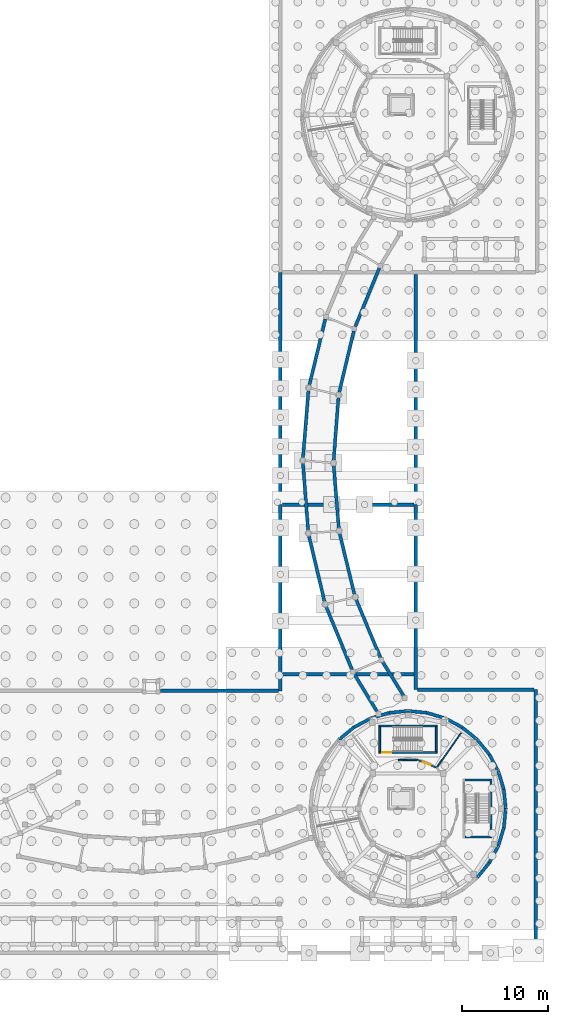
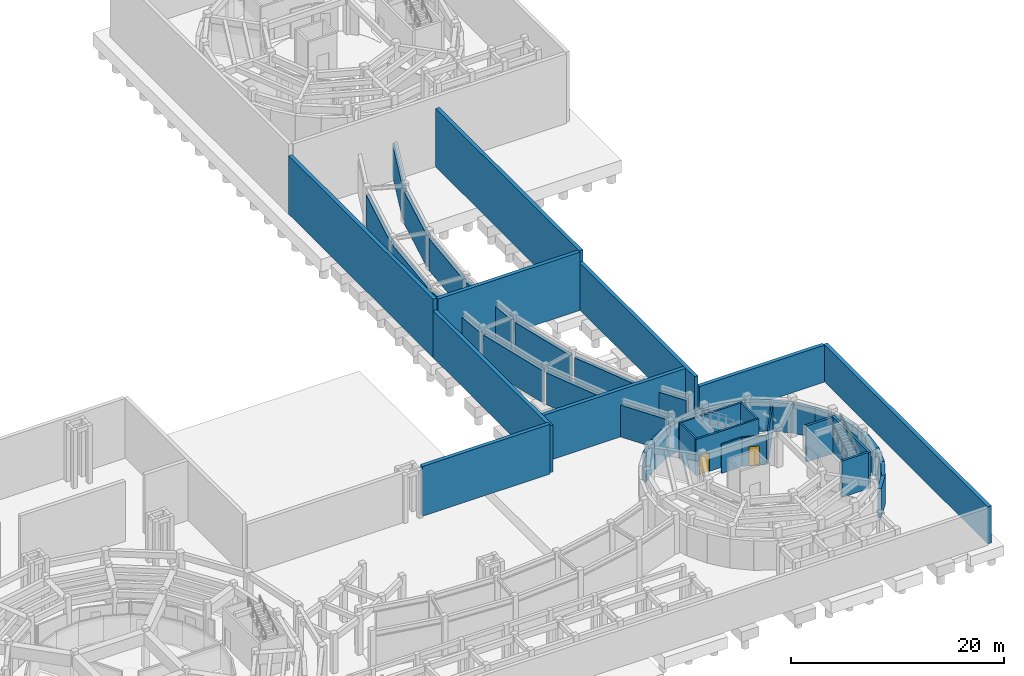
# One storey, part 45 of 57: 48 walls, 2 doors, 2 openings.
"""IFC4 building model written with IfcOpenShell, lengths in metres."""

from ifc_helpers import new_model, si_unit, direction, frame, frame_2d, origin, place, context, subcontext, project, spatial, rectangle, extrude, material, layer, layer_set, type_object, element, fill, save


model = new_model("IFC4")

# Units and contexts
model_context = context("Model", 3, precision=1e-05, world=origin(), true_north=direction((0.0, 1.0)))
body_context = subcontext(model_context, "Body", "Model", "MODEL_VIEW")
ifc_project = project(units=[si_unit("LENGTHUNIT", "METRE"), si_unit("AREAUNIT", "SQUARE_METRE"), si_unit("VOLUMEUNIT", "CUBIC_METRE"), si_unit("PLANEANGLEUNIT", "RADIAN"), si_unit("MASSUNIT", "GRAM", prefix="KILO")], contexts=[model_context])

# Site, building, storey
site_placement = place(None, origin())
site = spatial("IfcSite", under=ifc_project, at=site_placement, CompositionType="ELEMENT")
building_placement = place(site_placement, origin())
building = spatial("IfcBuilding", under=site, at=building_placement, Name="Aldenvaro Health Centre", CompositionType="ELEMENT")
storey_placement = place(building_placement, frame((0.0, 0.0, -4.550048828125)))
storey = spatial("IfcBuildingStorey", under=building, at=storey_placement, Name="B1", CompositionType="ELEMENT", Elevation=-4.550048828125)

# Wall
ifc_material_1 = material(Name="Gypsum Stud Acoustic Assembly")
ifc_layer_1 = layer(ifc_material_1, 0.14501953125, Name="Gypsum Stud Acoustic Assembly")
ifc_layer_set_1 = layer_set([ifc_layer_1], Name="Gypsum Stud Acoustic Assembly")
wall_type_1 = type_object("IfcWallType", Name="WL-CLN-145", PredefinedType="PARTITIONING", material=ifc_layer_set_1)
wall_1_placement = place(storey_placement, frame((157.8740234375, 23.319091796875, 0.0), z_axis=(0.0, 0.0, 1.0), x_axis=(0.573579487823, 0.819149907617, 0.0)))
element("IfcWall", 1, at=wall_1_placement, inside=storey, type_object=wall_type_1, Name="D6 B1 clinical partition 1.1", PredefinedType="PARTITIONING", context=body_context, shape_type="SweptSolid", body=[
    extrude(rectangle(XDim=4.895263671875, YDim=0.14501953125, at=frame_2d((2.44775390625, 0.0))), origin(), (0.0, 0.0, 1.0), 3.322998046875),
])

# Wall, opening, door
ifc_layer_2 = layer(ifc_material_1, 0.1650390625, Name="Gypsum Stud Acoustic Assembly")
ifc_layer_set_2 = layer_set([ifc_layer_2], Name="Gypsum Stud Acoustic Assembly")
wall_type_2 = type_object("IfcWallType", Name="WL-COR-165", PredefinedType="PARTITIONING", material=ifc_layer_set_2)
wall_2_placement = place(storey_placement, frame((157.756103515625, 23.300048828125, 0.0), z_axis=(0.0, 0.0, 1.0), x_axis=(-0.924301971465, 0.381661978124, 0.0)))
wall_2 = element("IfcWall", 2, at=wall_2_placement, inside=storey, type_object=wall_type_2, Name="D6 B1 corridor wall 01.1", PredefinedType="PARTITIONING", context=body_context, shape_type="SweptSolid", body=[
    extrude(rectangle(XDim=2.355224609375, YDim=0.1650390625, at=frame_2d((1.177734375, 0.0))), origin(), (0.0, 0.0, 1.0), 3.322998046875),
])
opening_1_placement = place(wall_2_placement, frame((0.66796875, 0.0, 0.0)))
opening_1 = element("IfcOpeningElement", 3, at=opening_1_placement, cuts=wall_2, Name="Opening HD-01", PredefinedType="OPENING", context=body_context, shape_type="SweptSolid", body=[
    extrude(rectangle(XDim=1.02001953125, YDim=2.199951171875, at=frame_2d((0.510009765625, 1.10009765625))), frame((0.0, 0.092529296875, 0.0), z_axis=(0.0, -1.0, 0.0), x_axis=(1.0, 0.0, 0.0)), (0.0, 0.0, 1.0), 0.18505859375),
])
ifc_material_2 = material(Name="Security Pharmacy Vault Door")
door_type_1 = type_object("IfcDoorType", Name="DR-PHM-01", OperationType="NOTDEFINED", PredefinedType="DOOR", material=ifc_material_2)
door_1_placement = place(opening_1_placement, origin())
door_1 = element("IfcDoor", 4, at=door_1_placement, inside=storey, type_object=door_type_1, Name="Bulk Pharmacy Receiving and Vault Door", OperationType="SINGLE_SWING_RIGHT", OverallHeight=2.199951171875, OverallWidth=1.02001953125, PredefinedType="DOOR", context=body_context, shape_type="SweptSolid", body=[
    extrude(rectangle(XDim=1.02001953125, YDim=2.199951171875, at=frame_2d((0.510009765625, 1.10009765625))), frame((0.0, 0.02490234375, 0.0), z_axis=(0.0, -1.0, 0.0), x_axis=(1.0, 0.0, 0.0)), (0.0, 0.0, 1.0), 0.050048828125),
])
fill(opening_1, door_1)

# Walls
wall_3_placement = place(storey_placement, frame((155.5791015625, 24.198974609375, 0.0), z_axis=(0.0, 0.0, 1.0), x_axis=(-0.999846478786, -0.017521953626, 0.0)))
element("IfcWall", 5, at=wall_3_placement, inside=storey, type_object=wall_type_2, Name="D6 B1 corridor wall 01.2", PredefinedType="PARTITIONING", context=body_context, shape_type="SweptSolid", body=[
    extrude(rectangle(XDim=2.229248046875, YDim=0.1650390625, at=frame_2d((1.11474609375, 0.0))), origin(), (0.0, 0.0, 1.0), 3.322998046875),
])
ifc_material_3 = material(Name="Concrete f'c 40 MPa", Category="concrete")
ifc_layer_3 = layer(ifc_material_3, 0.3701171875, Name="Concrete f'c 40 MPa", Category="concrete")
ifc_layer_set_3 = layer_set([ifc_layer_3], Name="Concrete f'c 40 MPa")
wall_type_3 = type_object("IfcWallType", Name="WL-RET-370", PredefinedType="USERDEFINED", material=ifc_layer_set_3)
wall_4_placement = place(storey_placement, frame((165.89990234375, 18.5, 0.0), z_axis=(0.0, 0.0, 1.0), x_axis=(-0.097989369151, -0.995187461503, 0.0)))
element("IfcWall", 6, at=wall_4_placement, inside=storey, type_object=wall_type_3, Name="D6 B1 hillside retaining wall 01", ObjectType="RETAININGWALL", PredefinedType="USERDEFINED", context=body_context, shape_type="SweptSolid", body=[
    extrude(rectangle(XDim=2.23486328125, YDim=0.3701171875, at=frame_2d((1.117431640625, 0.0))), origin(), (0.0, 0.0, 1.0), 3.34814453125),
])
wall_5_placement = place(storey_placement, frame((165.680908203125, 16.27587890625, 0.0), z_axis=(0.0, 0.0, 1.0), x_axis=(-0.290322655883, -0.956928814218, 0.0)))
element("IfcWall", 7, at=wall_5_placement, inside=storey, type_object=wall_type_3, Name="D6 B1 hillside retaining wall 02", ObjectType="RETAININGWALL", PredefinedType="USERDEFINED", context=body_context, shape_type="SweptSolid", body=[
    extrude(rectangle(XDim=2.235107421875, YDim=0.3701171875, at=frame_2d((1.11767578125, 0.0))), origin(), (0.0, 0.0, 1.0), 3.34814453125),
])
for number, where, z_axis, x_axis, name in (
    (8, (165.031982421875, 14.136962890625, 0.0), (0.0, 0.0, 1.0), (-0.471217561446, -0.882017012185, 0.0), "D6 B1 hillside retaining wall 03"),
    (9, (163.97900390625, 12.166015625, 0.0), (0.0, 0.0, 1.0), (-0.63455767339, -0.772875513354, 0.0), "D6 B1 hillside retaining wall 04"),
    (10, (146.43896484375, 26.56103515625, 0.0), (0.0, 0.0, 1.0), (0.772875513354, 0.63455767339, 0.0), "D6 B1 hillside retaining wall 21"),
    (11, (148.166015625, 27.97900390625, 0.0), (0.0, 0.0, 1.0), (0.882017012185, 0.471217561446, 0.0), "D6 B1 hillside retaining wall 22"),
):
    element("IfcWall", number, at=place(storey_placement, frame(where, z_axis=z_axis, x_axis=x_axis)), inside=storey, type_object=wall_type_3, Name=name, ObjectType="RETAININGWALL", PredefinedType="USERDEFINED", context=body_context, shape_type="SweptSolid", body=[
        extrude(rectangle(XDim=2.234619140625, YDim=0.3701171875, at=frame_2d((1.1171875, 0.0))), origin(), (0.0, 0.0, 1.0), 3.34814453125),
    ])
wall_6_placement = place(storey_placement, frame((150.136962890625, 29.031982421875, 0.0), z_axis=(0.0, 0.0, 1.0), x_axis=(0.956928814218, 0.290322655883, 0.0)))
element("IfcWall", 12, at=wall_6_placement, inside=storey, type_object=wall_type_3, Name="D6 B1 hillside retaining wall 23", ObjectType="RETAININGWALL", PredefinedType="USERDEFINED", context=body_context, shape_type="SweptSolid", body=[
    extrude(rectangle(XDim=2.235107421875, YDim=0.3701171875, at=frame_2d((1.11767578125, 0.0))), origin(), (0.0, 0.0, 1.0), 3.34814453125),
])
for number, where, z_axis, x_axis, name in (
    (13, (152.27587890625, 29.680908203125, 0.0), (0.0, 0.0, 1.0), (0.995187461503, 0.097989369151, 0.0), "D6 B1 hillside retaining wall 24"),
    (14, (154.5, 29.89990234375, 0.0), (0.0, 0.0, 1.0), (0.995187461503, -0.097989369151, 0.0), "D6 B1 hillside retaining wall 25"),
):
    element("IfcWall", number, at=place(storey_placement, frame(where, z_axis=z_axis, x_axis=x_axis)), inside=storey, type_object=wall_type_3, Name=name, ObjectType="RETAININGWALL", PredefinedType="USERDEFINED", context=body_context, shape_type="SweptSolid", body=[
        extrude(rectangle(XDim=2.23486328125, YDim=0.3701171875, at=frame_2d((1.117431640625, 0.0))), origin(), (0.0, 0.0, 1.0), 3.34814453125),
    ])
wall_7_placement = place(storey_placement, frame((156.72412109375, 29.680908203125, 0.0), z_axis=(0.0, 0.0, 1.0), x_axis=(0.956928814218, -0.290322655883, 0.0)))
element("IfcWall", 15, at=wall_7_placement, inside=storey, type_object=wall_type_3, Name="D6 B1 hillside retaining wall 26", ObjectType="RETAININGWALL", PredefinedType="USERDEFINED", context=body_context, shape_type="SweptSolid", body=[
    extrude(rectangle(XDim=2.235107421875, YDim=0.3701171875, at=frame_2d((1.11767578125, 0.0))), origin(), (0.0, 0.0, 1.0), 3.34814453125),
])
for number, where, z_axis, x_axis, name in (
    (16, (158.863037109375, 29.031982421875, 0.0), (0.0, 0.0, 1.0), (0.882017012185, -0.471217561446, 0.0), "D6 B1 hillside retaining wall 27"),
    (17, (160.833984375, 27.97900390625, 0.0), (0.0, 0.0, 1.0), (0.772875513354, -0.63455767339, 0.0), "D6 B1 hillside retaining wall 28"),
    (18, (162.56103515625, 26.56103515625, 0.0), (0.0, 0.0, 1.0), (0.63455767339, -0.772875513354, 0.0), "D6 B1 hillside retaining wall 29"),
    (19, (163.97900390625, 24.833984375, 0.0), (0.0, 0.0, 1.0), (0.471217561446, -0.882017012185, 0.0), "D6 B1 hillside retaining wall 30"),
):
    element("IfcWall", number, at=place(storey_placement, frame(where, z_axis=z_axis, x_axis=x_axis)), inside=storey, type_object=wall_type_3, Name=name, ObjectType="RETAININGWALL", PredefinedType="USERDEFINED", context=body_context, shape_type="SweptSolid", body=[
        extrude(rectangle(XDim=2.234619140625, YDim=0.3701171875, at=frame_2d((1.1171875, 0.0))), origin(), (0.0, 0.0, 1.0), 3.34814453125),
    ])
wall_8_placement = place(storey_placement, frame((165.031982421875, 22.863037109375, 0.0), z_axis=(0.0, 0.0, 1.0), x_axis=(0.290322655883, -0.956928814218, 0.0)))
element("IfcWall", 20, at=wall_8_placement, inside=storey, type_object=wall_type_3, Name="D6 B1 hillside retaining wall 31", ObjectType="RETAININGWALL", PredefinedType="USERDEFINED", context=body_context, shape_type="SweptSolid", body=[
    extrude(rectangle(XDim=2.235107421875, YDim=0.3701171875, at=frame_2d((1.11767578125, 0.0))), origin(), (0.0, 0.0, 1.0), 3.34814453125),
])
wall_9_placement = place(storey_placement, frame((165.680908203125, 20.72412109375, 0.0), z_axis=(0.0, 0.0, 1.0), x_axis=(0.097989369151, -0.995187461503, 0.0)))
element("IfcWall", 21, at=wall_9_placement, inside=storey, type_object=wall_type_3, Name="D6 B1 hillside retaining wall 32", ObjectType="RETAININGWALL", PredefinedType="USERDEFINED", context=body_context, shape_type="SweptSolid", body=[
    extrude(rectangle(XDim=2.23486328125, YDim=0.3701171875, at=frame_2d((1.117431640625, 0.0))), origin(), (0.0, 0.0, 1.0), 3.34814453125),
])
wall_10_placement = place(storey_placement, frame((151.152099609375, 81.639892578125, 0.0), z_axis=(0.0, 0.0, 1.0), x_axis=(-0.37992741541, -0.925016302029, 0.0)))
element("IfcWall", 22, at=wall_10_placement, inside=storey, type_object=wall_type_3, Name="East Curved Garden Colonnade Arc 2 B1 retaining wall L.1", ObjectType="RETAININGWALL", PredefinedType="USERDEFINED", context=body_context, shape_type="SweptSolid", body=[
    extrude(rectangle(XDim=7.4072265625, YDim=0.3701171875, at=frame_2d((3.70361328125, 0.0))), origin(), (0.0, 0.0, 1.0), 3.64501953125),
])
wall_11_placement = place(storey_placement, frame((148.169921875, 74.26611328125, 0.0), z_axis=(0.0, 0.0, 1.0), x_axis=(-0.231038102436, -0.972944703065, 0.0)))
element("IfcWall", 23, at=wall_11_placement, inside=storey, type_object=wall_type_3, Name="East Curved Garden Colonnade Arc 3 B1 retaining wall L.1", ObjectType="RETAININGWALL", PredefinedType="USERDEFINED", context=body_context, shape_type="SweptSolid", body=[
    extrude(rectangle(XDim=7.405517578125, YDim=0.3701171875, at=frame_2d((3.70263671875, 0.0))), origin(), (0.0, 0.0, 1.0), 3.64501953125),
])
wall_12_placement = place(storey_placement, frame((144.842041015625, 75.64501953125, 0.0), z_axis=(0.0, 0.0, 1.0), x_axis=(-0.23601468328, -0.971749488951, 0.0)))
element("IfcWall", 24, at=wall_12_placement, inside=storey, type_object=wall_type_3, Name="East Curved Garden Colonnade Arc 3 B1 retaining wall R.1", ObjectType="RETAININGWALL", PredefinedType="USERDEFINED", context=body_context, shape_type="SweptSolid", body=[
    extrude(rectangle(XDim=7.97021484375, YDim=0.3701171875, at=frame_2d((3.985107421875, 0.0))), origin(), (0.0, 0.0, 1.0), 3.64501953125),
])
wall_13_placement = place(storey_placement, frame((146.375, 66.51904296875, 0.0), z_axis=(0.0, 0.0, 1.0), x_axis=(-0.075610132089, -0.997137456886, 0.0)))
element("IfcWall", 25, at=wall_13_placement, inside=storey, type_object=wall_type_3, Name="East Curved Garden Colonnade Arc 4 B1 retaining wall L.1", ObjectType="RETAININGWALL", PredefinedType="USERDEFINED", context=body_context, shape_type="SweptSolid", body=[
    extrude(rectangle(XDim=7.4072265625, YDim=0.3701171875, at=frame_2d((3.70361328125, 0.0))), origin(), (0.0, 0.0, 1.0), 3.64501953125),
])
wall_14_placement = place(storey_placement, frame((142.8740234375, 67.35888671875, 0.0), z_axis=(0.0, 0.0, 1.0), x_axis=(-0.081052743473, -0.996709813725, 0.0)))
element("IfcWall", 26, at=wall_14_placement, inside=storey, type_object=wall_type_3, Name="East Curved Garden Colonnade Arc 4 B1 retaining wall R.1", ObjectType="RETAININGWALL", PredefinedType="USERDEFINED", context=body_context, shape_type="SweptSolid", body=[
    extrude(rectangle(XDim=7.969970703125, YDim=0.3701171875, at=frame_2d((3.98486328125, 0.0))), origin(), (0.0, 0.0, 1.0), 3.64501953125),
])
wall_15_placement = place(storey_placement, frame((145.81591796875, 58.5849609375, 0.0), z_axis=(0.0, 0.0, 1.0), x_axis=(0.081275147616, -0.996691702775, 0.0)))
element("IfcWall", 27, at=wall_15_placement, inside=storey, type_object=wall_type_3, Name="East Curved Garden Colonnade Arc 5 B1 retaining wall L.1", ObjectType="RETAININGWALL", PredefinedType="USERDEFINED", context=body_context, shape_type="SweptSolid", body=[
    extrude(rectangle(XDim=7.407470703125, YDim=0.3701171875, at=frame_2d((3.70361328125, 0.0))), origin(), (0.0, 0.0, 1.0), 3.64501953125),
])
wall_16_placement = place(storey_placement, frame((142.22705078125, 58.866943359375, 0.0), z_axis=(0.0, 0.0, 1.0), x_axis=(0.075785234906, -0.997124163868, 0.0)))
element("IfcWall", 28, at=wall_16_placement, inside=storey, type_object=wall_type_3, Name="East Curved Garden Colonnade Arc 5 B1 retaining wall R.1", ObjectType="RETAININGWALL", PredefinedType="USERDEFINED", context=body_context, shape_type="SweptSolid", body=[
    extrude(rectangle(XDim=7.969970703125, YDim=0.3701171875, at=frame_2d((3.98486328125, 0.0))), origin(), (0.0, 0.0, 1.0), 3.64501953125),
])
wall_17_placement = place(storey_placement, frame((146.5048828125, 50.660888671875, 0.0), z_axis=(0.0, 0.0, 1.0), x_axis=(0.236279241617, -0.971685195925, 0.0)))
element("IfcWall", 29, at=wall_17_placement, inside=storey, type_object=wall_type_3, Name="East Curved Garden Colonnade Arc 6 B1 retaining wall L.1", ObjectType="RETAININGWALL", PredefinedType="USERDEFINED", context=body_context, shape_type="SweptSolid", body=[
    extrude(rectangle(XDim=7.406494140625, YDim=0.3701171875, at=frame_2d((3.703125, 0.0))), origin(), (0.0, 0.0, 1.0), 3.64501953125),
])
wall_18_placement = place(storey_placement, frame((142.916015625, 50.3779296875, 0.0), z_axis=(0.0, 0.0, 1.0), x_axis=(0.230925962905, -0.972971325197, 0.0)))
element("IfcWall", 30, at=wall_18_placement, inside=storey, type_object=wall_type_3, Name="East Curved Garden Colonnade Arc 6 B1 retaining wall R.1", ObjectType="RETAININGWALL", PredefinedType="USERDEFINED", context=body_context, shape_type="SweptSolid", body=[
    extrude(rectangle(XDim=7.96826171875, YDim=0.3701171875, at=frame_2d((3.984130859375, 0.0))), origin(), (0.0, 0.0, 1.0), 3.64501953125),
])
wall_19_placement = place(storey_placement, frame((148.426025390625, 42.943115234375, 0.0), z_axis=(0.0, 0.0, 1.0), x_axis=(0.385193411175, -0.922835866223, 0.0)))
element("IfcWall", 31, at=wall_19_placement, inside=storey, type_object=wall_type_3, Name="East Curved Garden Colonnade Arc 7 B1 retaining wall L.1", ObjectType="RETAININGWALL", PredefinedType="USERDEFINED", context=body_context, shape_type="SweptSolid", body=[
    extrude(rectangle(XDim=7.40673828125, YDim=0.3701171875, at=frame_2d((3.703369140625, 0.0))), origin(), (0.0, 0.0, 1.0), 3.64501953125),
])
wall_20_placement = place(storey_placement, frame((144.925048828125, 42.10302734375, 0.0), z_axis=(0.0, 0.0, 1.0), x_axis=(0.380008707142, -0.9249829093, 0.0)))
element("IfcWall", 32, at=wall_20_placement, inside=storey, type_object=wall_type_3, Name="East Curved Garden Colonnade Arc 7 B1 retaining wall R.1", ObjectType="RETAININGWALL", PredefinedType="USERDEFINED", context=body_context, shape_type="SweptSolid", body=[
    extrude(rectangle(XDim=7.970947265625, YDim=0.3701171875, at=frame_2d((3.9853515625, 0.0))), origin(), (0.0, 0.0, 1.0), 3.64501953125),
])
wall_21_placement = place(storey_placement, frame((151.530029296875, 35.6201171875, 0.0), z_axis=(0.0, 0.0, 1.0), x_axis=(0.526011708448, -0.850477326315, 0.0)))
element("IfcWall", 33, at=wall_21_placement, inside=storey, type_object=wall_type_3, Name="East Curved Garden Colonnade Arc 8 B1 retaining wall L.1", ObjectType="RETAININGWALL", PredefinedType="USERDEFINED", context=body_context, shape_type="SweptSolid", body=[
    extrude(rectangle(XDim=4.65771484375, YDim=0.3701171875, at=frame_2d((2.328857421875, 0.0))), origin(), (0.0, 0.0, 1.0), 3.64501953125),
])
wall_22_placement = place(storey_placement, frame((148.201904296875, 34.240966796875, 0.0), z_axis=(0.0, 0.0, 1.0), x_axis=(0.519278506533, -0.854605074086, 0.0)))
element("IfcWall", 34, at=wall_22_placement, inside=storey, type_object=wall_type_3, Name="East Curved Garden Colonnade Arc 8 B1 retaining wall R.1", ObjectType="RETAININGWALL", PredefinedType="USERDEFINED", context=body_context, shape_type="SweptSolid", body=[
    extrude(rectangle(XDim=5.111083984375, YDim=0.3701171875, at=frame_2d((2.5556640625, 0.0))), origin(), (0.0, 0.0, 1.0), 3.64501953125),
])
ifc_layer_4 = layer(ifc_material_3, 0.39990234375, Name="Concrete f'c 40 MPa", Category="concrete")
ifc_layer_set_4 = layer_set([ifc_layer_4], Name="Concrete f'c 40 MPa")
wall_type_4 = type_object("IfcWallType", Name="WL-RET-400", PredefinedType="USERDEFINED", material=ifc_layer_set_4)
wall_23_placement = place(storey_placement, frame((169.39990234375, 1.64990234375, 0.0), z_axis=(0.0, 0.0, 1.0), x_axis=(0.0, 1.0, 0.0)))
element("IfcWall", 35, at=wall_23_placement, inside=storey, type_object=wall_type_4, Name="Stepped Foothill Retaining Wall T1S-E-00", ObjectType="RETAININGWALL", PredefinedType="USERDEFINED", context=body_context, shape_type="SweptSolid", body=[
    extrude(rectangle(XDim=30.75, YDim=0.39990234375, at=frame_2d((15.375, 0.0))), origin(), (0.0, 0.0, 1.0), 4.22998046875),
])
wall_24_placement = place(storey_placement, frame((155.39990234375, 32.39990234375, 0.0), z_axis=(0.0, 0.0, 1.0), x_axis=(0.0, 1.0, 0.0)))
element("IfcWall", 36, at=wall_24_placement, inside=storey, type_object=wall_type_4, Name="Stepped Foothill Retaining Wall T2F-E-00", ObjectType="RETAININGWALL", PredefinedType="USERDEFINED", context=body_context, shape_type="SweptSolid", body=[
    extrude(rectangle(XDim=21.60009765625, YDim=0.39990234375, at=frame_2d((10.800048828125, 0.0))), origin(), (0.0, 0.0, 1.0), 5.380126953125),
])
wall_25_placement = place(storey_placement, frame((139.60009765625, 32.25, 0.0), z_axis=(0.0, 0.0, 1.0), x_axis=(0.0, 1.0, 0.0)))
element("IfcWall", 37, at=wall_25_placement, inside=storey, type_object=wall_type_4, Name="Stepped Foothill Retaining Wall T2F-IE-00", ObjectType="RETAININGWALL", PredefinedType="USERDEFINED", context=body_context, shape_type="SweptSolid", body=[
    extrude(rectangle(XDim=21.75, YDim=0.39990234375, at=frame_2d((10.875, 0.0))), origin(), (0.0, 0.0, 1.0), 5.380126953125),
])
wall_26_placement = place(storey_placement, frame((155.39990234375, 54.0, 0.0), z_axis=(0.0, 0.0, 1.0), x_axis=(0.0, 1.0, 0.0)))
element("IfcWall", 38, at=wall_26_placement, inside=storey, type_object=wall_type_4, Name="Stepped Foothill Retaining Wall T3F-E-00", ObjectType="RETAININGWALL", PredefinedType="USERDEFINED", context=body_context, shape_type="SweptSolid", body=[
    extrude(rectangle(XDim=26.8759765625, YDim=0.39990234375, at=frame_2d((13.43798828125, 0.0))), origin(), (0.0, 0.0, 1.0), 6.679931640625),
])
wall_27_placement = place(storey_placement, frame((139.60009765625, 54.0, 0.0), z_axis=(0.0, 0.0, 1.0), x_axis=(0.0, 1.0, 0.0)))
element("IfcWall", 39, at=wall_27_placement, inside=storey, type_object=wall_type_4, Name="Stepped Foothill Retaining Wall T3F-IE-00", ObjectType="RETAININGWALL", PredefinedType="USERDEFINED", context=body_context, shape_type="SweptSolid", body=[
    extrude(rectangle(XDim=27.10009765625, YDim=0.39990234375, at=frame_2d((13.550048828125, 0.0))), origin(), (0.0, 0.0, 1.0), 6.679931640625),
])
wall_28_placement = place(storey_placement, frame((155.6240234375, 32.39990234375, 0.0), z_axis=(0.0, 0.0, 1.0), x_axis=(1.0, 0.0, 0.0)))
element("IfcWall", 40, at=wall_28_placement, inside=storey, type_object=wall_type_4, Name="Stepped Foothill Retaining Wall T1S-NEJ-00", ObjectType="RETAININGWALL", PredefinedType="USERDEFINED", context=body_context, shape_type="SweptSolid", body=[
    extrude(rectangle(XDim=13.552001953125, YDim=0.39990234375, at=frame_2d((6.77587890625, 0.0))), origin(), (0.0, 0.0, 1.0), 4.22998046875),
])
wall_29_placement = place(storey_placement, frame((125.570068359375, 32.25, 0.0), z_axis=(0.0, 0.0, 1.0), x_axis=(1.0, 0.0, 0.0)))
element("IfcWall", 41, at=wall_29_placement, inside=storey, type_object=wall_type_4, Name="Stepped Foothill Retaining Wall T2G-RE-01", ObjectType="RETAININGWALL", PredefinedType="USERDEFINED", context=body_context, shape_type="SweptSolid", body=[
    extrude(rectangle(XDim=13.805908203125, YDim=0.39990234375, at=frame_2d((6.90283203125, 0.0))), origin(), (0.0, 0.0, 1.0), 5.699951171875),
])
wall_30_placement = place(storey_placement, frame((139.823974609375, 34.199951171875, 0.0), z_axis=(0.0, 0.0, 1.0), x_axis=(1.0, 0.0, 0.0)))
element("IfcWall", 42, at=wall_30_placement, inside=storey, type_object=wall_type_4, Name="Stepped Foothill Retaining Wall T2F-SE-00", ObjectType="RETAININGWALL", PredefinedType="USERDEFINED", context=body_context, shape_type="SweptSolid", body=[
    extrude(rectangle(XDim=15.35205078125, YDim=0.39990234375, at=frame_2d((7.676025390625, 0.0))), origin(), (0.0, 0.0, 1.0), 5.380126953125),
])
wall_31_placement = place(storey_placement, frame((139.823974609375, 54.0, 0.0), z_axis=(0.0, 0.0, 1.0), x_axis=(1.0, 0.0, 0.0)))
element("IfcWall", 43, at=wall_31_placement, inside=storey, type_object=wall_type_4, Name="Stepped Foothill Retaining Wall T3F-RE-00", ObjectType="RETAININGWALL", PredefinedType="USERDEFINED", context=body_context, shape_type="SweptSolid", body=[
    extrude(rectangle(XDim=15.35205078125, YDim=0.39990234375, at=frame_2d((7.676025390625, 0.0))), origin(), (0.0, 0.0, 1.0), 6.679931640625),
])

# Wall, opening, door
ifc_layer_5 = layer(ifc_material_3, 0.199951171875, Name="Concrete f'c 40 MPa", Category="concrete")
ifc_layer_set_5 = layer_set([ifc_layer_5], Name="Concrete f'c 40 MPa")
wall_type_5 = type_object("IfcWallType", Name="WL-SHAFT-200", PredefinedType="SHEAR", material=ifc_layer_set_5)
wall_32_placement = place(storey_placement, frame((151.10009765625, 25.050048828125, 0.0), z_axis=(0.0, 0.0, 1.0), x_axis=(1.0, 0.0, 0.0)))
wall_32 = element("IfcWall", 44, at=wall_32_placement, inside=storey, type_object=wall_type_5, Name="ST-12 B1 inner core wall", PredefinedType="SHEAR", context=body_context, shape_type="SweptSolid", body=[
    extrude(rectangle(XDim=6.7998046875, YDim=0.199951171875, at=frame_2d((3.39990234375, 0.0))), origin(), (0.0, 0.0, 1.0), 4.14794921875),
])
opening_2_placement = place(wall_32_placement, frame((0.3798828125, 0.0, 0.0)))
opening_2 = element("IfcOpeningElement", 45, at=opening_2_placement, cuts=wall_32, Name="Opening FD-02", PredefinedType="OPENING", context=body_context, shape_type="SweptSolid", body=[
    extrude(rectangle(XDim=1.050048828125, YDim=2.14990234375, at=frame_2d((0.52490234375, 1.074951171875))), frame((0.0, 0.10986328125, 0.0), z_axis=(0.0, -1.0, 0.0), x_axis=(1.0, 0.0, 0.0)), (0.0, 0.0, 1.0), 0.219970703125),
])
ifc_material_4 = material(Name="Fire-Rated Steel Door Assembly", Category="steel")
door_type_2 = type_object("IfcDoorType", Name="DR-STAIR-105", OperationType="NOTDEFINED", PredefinedType="DOOR", material=ifc_material_4)
door_2_placement = place(opening_2_placement, origin())
door_2 = element("IfcDoor", 46, at=door_2_placement, inside=storey, type_object=door_type_2, Name="ST-12 B1 fire stair door", OperationType="SINGLE_SWING_LEFT", OverallHeight=2.14990234375, OverallWidth=1.050048828125, PredefinedType="DOOR", context=body_context, shape_type="SweptSolid", body=[
    extrude(rectangle(XDim=1.050048828125, YDim=2.14990234375, at=frame_2d((0.52490234375, 1.074951171875))), frame((0.0, 0.02490234375, 0.0), z_axis=(0.0, -1.0, 0.0), x_axis=(1.0, 0.0, 0.0)), (0.0, 0.0, 1.0), 0.050048828125),
])
fill(opening_2, door_2)

# Walls
wall_33_placement = place(storey_placement, frame((151.10009765625, 28.14990234375, 0.0), z_axis=(0.0, 0.0, 1.0), x_axis=(1.0, 0.0, 0.0)))
element("IfcWall", 47, at=wall_33_placement, inside=storey, type_object=wall_type_5, Name="ST-12 B1 far core wall", PredefinedType="SHEAR", context=body_context, shape_type="SweptSolid", body=[
    extrude(rectangle(XDim=6.7998046875, YDim=0.199951171875, at=frame_2d((3.39990234375, 0.0))), origin(), (0.0, 0.0, 1.0), 4.14794921875),
])
for number, where, z_axis, x_axis, name in (
    (48, (151.199951171875, 25.14990234375, 0.0), (0.0, 0.0, 1.0), (0.0, 1.0, 0.0), "ST-12 B1 side core wall L"),
    (49, (157.800048828125, 25.14990234375, 0.0), (0.0, 0.0, 1.0), (0.0, 1.0, 0.0), "ST-12 B1 side core wall R"),
):
    element("IfcWall", number, at=place(storey_placement, frame(where, z_axis=z_axis, x_axis=x_axis)), inside=storey, type_object=wall_type_5, Name=name, PredefinedType="SHEAR", context=body_context, shape_type="SweptSolid", body=[
        extrude(rectangle(XDim=2.900146484375, YDim=0.199951171875, at=frame_2d((1.4501953125, 0.0))), origin(), (0.0, 0.0, 1.0), 4.14794921875),
    ])
ifc_layer_6 = layer(ifc_material_3, 0.25, Name="Concrete f'c 40 MPa", Category="concrete")
ifc_layer_set_6 = layer_set([ifc_layer_6], Name="Concrete f'c 40 MPa")
wall_type_6 = type_object("IfcWallType", Name="WL-SHAFT-250", PredefinedType="SHEAR", material=ifc_layer_set_6)
wall_34_placement = place(storey_placement, frame((164.175048828125, 21.949951171875, 0.0), z_axis=(0.0, 0.0, 1.0), x_axis=(0.0, -1.0, 0.0)))
element("IfcWall", 50, at=wall_34_placement, inside=storey, type_object=wall_type_6, Name="ST-11 B1 far core wall", PredefinedType="SHEAR", context=body_context, shape_type="SweptSolid", body=[
    extrude(rectangle(XDim=6.89990234375, YDim=0.25, at=frame_2d((3.449951171875, 0.0))), origin(), (0.0, 0.0, 1.0), 4.14794921875),
])
for number, where, z_axis, x_axis, name in (
    (51, (161.14990234375, 21.824951171875, 0.0), (0.0, 0.0, 1.0), (1.0, 0.0, 0.0), "ST-11 B1 side core wall L"),
    (52, (161.14990234375, 15.175048828125, 0.0), (0.0, 0.0, 1.0), (1.0, 0.0, 0.0), "ST-11 B1 side core wall R"),
):
    element("IfcWall", number, at=place(storey_placement, frame(where, z_axis=z_axis, x_axis=x_axis)), inside=storey, type_object=wall_type_6, Name=name, PredefinedType="SHEAR", context=body_context, shape_type="SweptSolid", body=[
        extrude(rectangle(XDim=2.900146484375, YDim=0.25, at=frame_2d((1.4501953125, 0.0))), origin(), (0.0, 0.0, 1.0), 4.14794921875),
    ])

save(model, "model.ifc")
